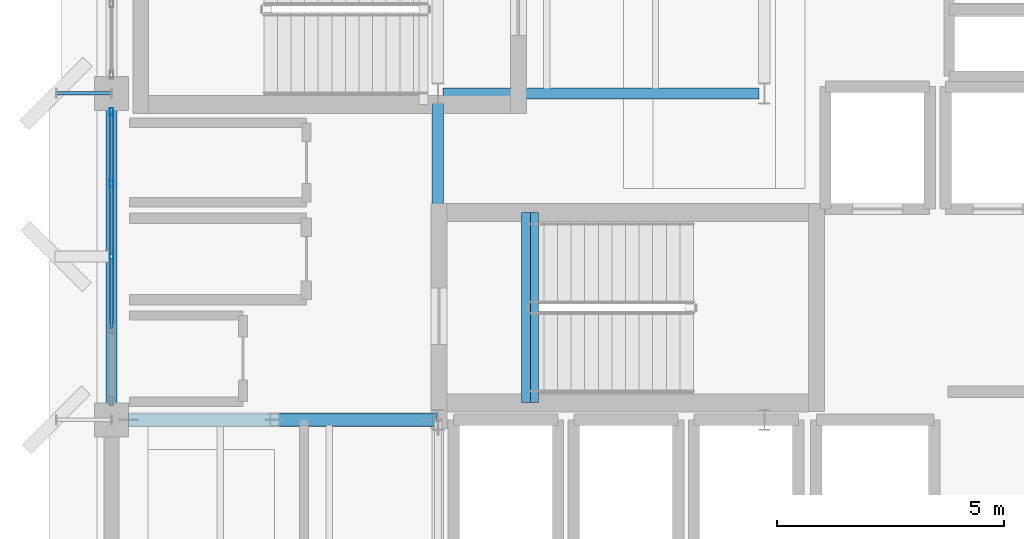
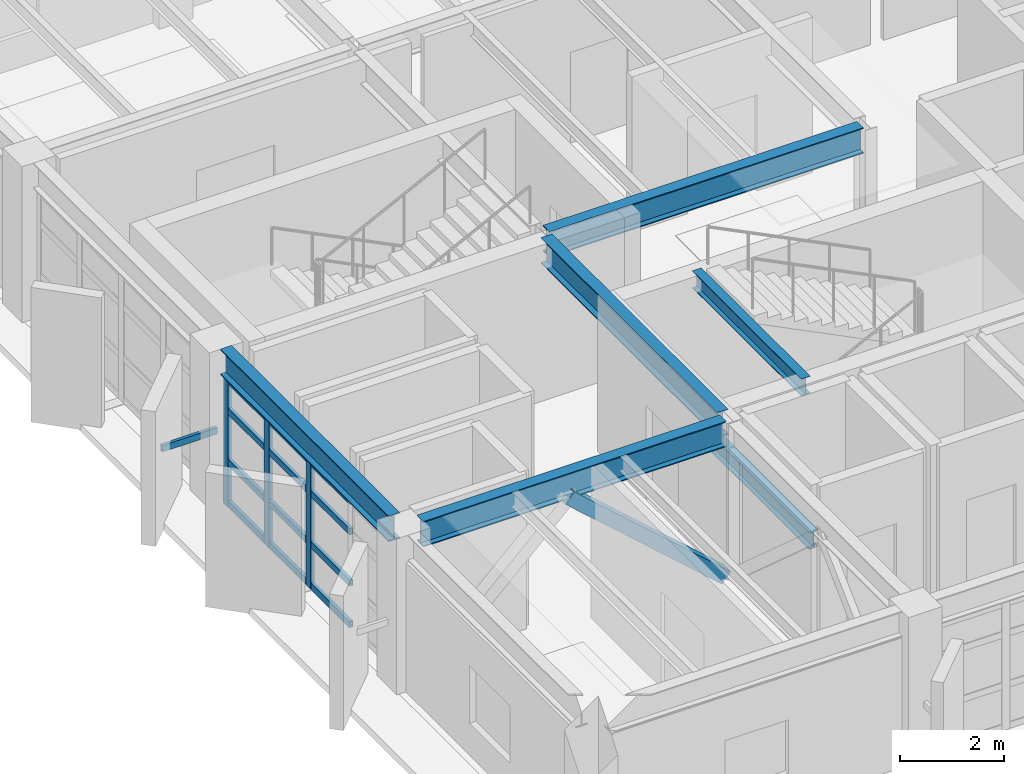
# One storey, part 5 of 32: 17 members, 6 beams, 1 element without a shape of its own.
"""IFC4 building model written with IfcOpenShell, lengths in metres."""

import ifcopenshell
import ifcopenshell.guid

model = None  # the IFC model being written
_history = None  # IfcOwnerHistory: only IFC2X3 demands one
_inside = {}  # id of a spatial element -> (the spatial element, [elements in it])
_under = {}  # id of a project, library or spatial element -> (it, [spatial elements below it])
_declared = {}  # id of a project -> (the project, [libraries it declares])
_typed = {}  # id of a type object -> (the type object, [elements of that type])
_made_of = {}  # id of a material, layer set ... -> (it, [elements and type objects made of it])


def new_model(schema):
    """Start an empty IFC model of exactly this schema.

    Asked for "IFC4X3", IfcOpenShell would pick the latest addendum, in which some entities
    have other attributes; the version numbers below select the first issue.
    IFC2X3 requires an IfcOwnerHistory on every rooted entity: one is made here for all.
    """
    global model, _history
    if schema == "IFC4X3":
        model = ifcopenshell.file(schema_version=(4, 3, 0, 0))
    else:
        model = ifcopenshell.file(schema=schema)
    _inside.clear()
    _under.clear()
    _declared.clear()
    _typed.clear()
    _made_of.clear()
    _history = None
    if model.schema == "IFC2X3":
        org = make("IfcOrganization", Name="unknown")
        user = make(
            "IfcPersonAndOrganization",
            ThePerson=make("IfcPerson", FamilyName="unknown"),
            TheOrganization=org,
        )
        app = make(
            "IfcApplication",
            ApplicationDeveloper=org,
            Version="unknown",
            ApplicationFullName="unknown",
            ApplicationIdentifier="unknown",
        )
        _history = make(
            "IfcOwnerHistory",
            OwningUser=user,
            OwningApplication=app,
            ChangeAction="ADDED",
            CreationDate=0,
        )
    return model


def make(cls, **values):
    """One entity of the class cls with the attributes given. An attribute that is None is left unset."""
    return model.create_entity(
        cls, **{name: value for name, value in values.items() if value is not None}
    )


def rooted(cls, **values):
    """An entity with a GlobalId (a new one), such as an element, a storey or a relation."""
    return make(cls, GlobalId=ifcopenshell.guid.new(), OwnerHistory=_history, **values)


def si_unit(unit_type, name, prefix=None):
    """IfcSIUnit, for example si_unit("LENGTHUNIT", "METRE", prefix="MILLI")."""
    return make("IfcSIUnit", UnitType=unit_type, Prefix=prefix, Name=name)


def assignment(units):
    """IfcUnitAssignment: the units of a project."""
    return None if units is None else make("IfcUnitAssignment", Units=units)


def point(xyz):
    """IfcCartesianPoint."""
    return None if xyz is None else make("IfcCartesianPoint", Coordinates=xyz)


def direction(xyz):
    """IfcDirection."""
    return None if xyz is None else make("IfcDirection", DirectionRatios=xyz)


def frame(location, z_axis=None, x_axis=None):
    """IfcAxis2Placement3D, a coordinate frame: its origin and axes. An axis left out is left unset."""
    return make(
        "IfcAxis2Placement3D",
        Location=point(location),
        Axis=direction(z_axis),
        RefDirection=direction(x_axis),
    )


def frame_2d(location, x_axis=None):
    """IfcAxis2Placement2D, a coordinate frame in the plane: its origin and x axis."""
    return make(
        "IfcAxis2Placement2D", Location=point(location), RefDirection=direction(x_axis)
    )


def origin():
    """The frame at (0, 0, 0) with its axes left unset."""
    return frame((0.0, 0.0, 0.0))


def origin_2d():
    """The frame at (0, 0) in the plane with its x axis left unset."""
    return frame_2d((0.0, 0.0))


def place(relative_to, where):
    """IfcLocalPlacement: puts the frame where relative to a parent placement (None: the world)."""
    return make(
        "IfcLocalPlacement", PlacementRelTo=relative_to, RelativePlacement=where
    )


def context(
    kind, dimensions, precision=None, world=None, true_north=None, identifier=None
):
    """IfcGeometricRepresentationContext, for example the 3D "Model" context."""
    return make(
        "IfcGeometricRepresentationContext",
        ContextIdentifier=identifier,
        ContextType=kind,
        CoordinateSpaceDimension=dimensions,
        Precision=precision,
        WorldCoordinateSystem=world,
        TrueNorth=true_north,
    )


def subcontext(parent, identifier, kind, view, scale=None):
    """IfcGeometricRepresentationSubContext, for example "Body" below "Model"."""
    return make(
        "IfcGeometricRepresentationSubContext",
        ContextIdentifier=identifier,
        ContextType=kind,
        ParentContext=parent,
        TargetScale=scale,
        TargetView=view,
    )


def project(units=None, contexts=None):
    """IfcProject with its units and contexts."""
    return rooted(
        "IfcProject",
        Name="project",
        RepresentationContexts=contexts,
        UnitsInContext=assignment(units),
    )


def spatial(cls, under=None, at=None, **own):
    """A site, building, storey or space (cls), placed at a placement, below another one or the project."""
    s = rooted(cls, ObjectPlacement=at, **own)
    if under is not None:
        _under.setdefault(under.id(), (under, []))[1].append(s)
    return s


def profile(cls, at=None, kind="AREA", **sizes):
    """A parametric profile (cls). Its sizes go by their IFC names, for example OverallWidth=200.0."""
    return make(cls, ProfileType=kind, Position=at, **sizes)


def hollow_rectangle(**sizes):
    """IfcRectangleHollowProfileDef."""
    return profile("IfcRectangleHollowProfileDef", **sizes)


def i_section(**sizes):
    """IfcIShapeProfileDef."""
    return profile("IfcIShapeProfileDef", **sizes)


def extrude(swept, where, along, depth):
    """IfcExtrudedAreaSolid: the profile swept, set in the frame where, extruded along a direction by depth."""
    return make(
        "IfcExtrudedAreaSolid",
        SweptArea=swept,
        Position=where,
        ExtrudedDirection=direction(along),
        Depth=depth,
    )


def shape(context_of_items, identifier, shape_type, items):
    """IfcShapeRepresentation: the items that make up one representation, for example the "Body"."""
    return make(
        "IfcShapeRepresentation",
        ContextOfItems=context_of_items,
        RepresentationIdentifier=identifier,
        RepresentationType=shape_type,
        Items=items,
    )


def material(Name=None, Category=None):
    """IfcMaterial."""
    return make("IfcMaterial", Name=Name, Category=Category)


def layer(
    of_material, thickness, ventilated=None, Name=None, Category=None, Priority=None
):
    """IfcMaterialLayer: one layer of a wall or slab, of a material (None: an air gap)."""
    return make(
        "IfcMaterialLayer",
        Material=of_material,
        LayerThickness=thickness,
        IsVentilated=ventilated,
        Name=Name,
        Category=Category,
        Priority=Priority,
    )


def layer_set(layers, Name=None):
    """IfcMaterialLayerSet."""
    return make("IfcMaterialLayerSet", MaterialLayers=layers, LayerSetName=Name)


def material_profile(
    of_material, cross_section, Name=None, Category=None, Priority=None
):
    """IfcMaterialProfile: a cross section and its material."""
    return make(
        "IfcMaterialProfile",
        Name=Name,
        Material=of_material,
        Profile=cross_section,
        Priority=Priority,
        Category=Category,
    )


def profile_set(profiles, Name=None, composite=None):
    """IfcMaterialProfileSet."""
    return make(
        "IfcMaterialProfileSet",
        Name=Name,
        MaterialProfiles=profiles,
        CompositeProfile=composite,
    )


def made_of(thing, what):
    """Note that an element or type object is made of a material, layer set ...; save() writes the relation."""
    if what is not None:
        _made_of.setdefault(what.id(), (what, []))[1].append(thing)
    return thing


def type_object(cls, material=None, **own):
    """A type object (cls), such as IfcWallType, which elements share."""
    return made_of(rooted(cls, **own), material)


def element(
    cls,
    number,
    at=None,
    inside=None,
    cuts=None,
    type_object=None,
    material=None,
    context=None,
    identifier="Body",
    shape_type=None,
    held_by="IfcProductDefinitionShape",
    body=None,
    shapes=None,
    **own,
):
    """One element of the class cls, such as IfcWall. Its Tag is "e" and its number.

    at: its placement. inside: the storey or other place that contains it. cuts: it is an
    opening in that element (IfcRelVoidsElement). A single representation is given by context,
    identifier, shape_type and body (its items); several are given by shapes. held_by: the class
    of the entity that holds the representations. save() writes the other relations.
    """
    e = rooted(cls, Tag="e%d" % number, ObjectPlacement=at, **own)
    if body is not None:
        shapes = [shape(context, identifier, shape_type, body)]
    if shapes is not None:
        e.Representation = make(held_by, Representations=shapes)
    if inside is not None:
        _inside.setdefault(inside.id(), (inside, []))[1].append(e)
    if cuts is not None:
        rooted(
            "IfcRelVoidsElement", RelatingBuildingElement=cuts, RelatedOpeningElement=e
        )
    if type_object is not None:
        _typed.setdefault(type_object.id(), (type_object, []))[1].append(e)
    return made_of(e, material)


def aggregate(whole, parts):
    """IfcRelAggregates: a whole, such as a stair, and the parts it consists of."""
    return rooted("IfcRelAggregates", RelatingObject=whole, RelatedObjects=parts)


def save(model, path):
    """Write the relations noted so far, then the file.

    IfcRelAggregates (storeys below a building ...), IfcRelContainedInSpatialStructure (elements
    in a storey), IfcRelDefinesByType, IfcRelAssociatesMaterial and IfcRelDeclares: one each for
    every whole, place, type object, material and project.
    """
    for whole, parts in _under.values():
        aggregate(whole, parts)
    for where, things in _inside.values():
        rooted(
            "IfcRelContainedInSpatialStructure",
            RelatedElements=things,
            RelatingStructure=where,
        )
    for kind, things in _typed.values():
        rooted("IfcRelDefinesByType", RelatedObjects=things, RelatingType=kind)
    for what, things in _made_of.values():
        rooted("IfcRelAssociatesMaterial", RelatedObjects=things, RelatingMaterial=what)
    for by, libraries in _declared.values():
        rooted("IfcRelDeclares", RelatingContext=by, RelatedDefinitions=libraries)
    model.write(path)


model = new_model("IFC4")

# Units and contexts
model_context = context("Model", 3, precision=1e-05, world=origin(), true_north=direction((0.0, 1.0)))
body_context = subcontext(model_context, "Body", "Model", "MODEL_VIEW")
ifc_project = project(units=[si_unit("LENGTHUNIT", "METRE"), si_unit("AREAUNIT", "SQUARE_METRE"), si_unit("VOLUMEUNIT", "CUBIC_METRE"), si_unit("PLANEANGLEUNIT", "RADIAN"), si_unit("MASSUNIT", "GRAM", prefix="KILO")], contexts=[model_context])

# Site, building, storey
site_placement = place(None, origin())
site = spatial("IfcSite", under=ifc_project, at=site_placement, CompositionType="ELEMENT")
building_placement = place(site_placement, origin())
building = spatial("IfcBuilding", under=site, at=building_placement, Name="Kandorven Conservatory and Botanical Research Centre", CompositionType="ELEMENT")
storey_placement = place(building_placement, frame((0.0, 0.0, 17.10009765625)))
storey = spatial("IfcBuildingStorey", under=building, at=storey_placement, Name="L04", CompositionType="ELEMENT", Elevation=17.10009765625)

# Beams
ifc_material_1 = material(Name="Steel S355 (IS 2062 E350)", Category="steel")
ifc_material_profile_1 = material_profile(ifc_material_1, i_section(OverallWidth=0.25, OverallDepth=0.60009765625, WebThickness=0.01171875, FlangeThickness=0.023681640625, at=origin_2d()))
ifc_profile_set_1 = profile_set([ifc_material_profile_1], Name="Steel S355 (IS 2062 E350)")
beam_type_1 = type_object("IfcBeamType", Name="Beam_FG-01", PredefinedType="USERDEFINED", material=ifc_profile_set_1)
beam_1_placement = place(storey_placement, frame((6.364990234375, 13.199951171875, 3.35986328125), z_axis=(1.0, 0.0, 0.0), x_axis=(0.0, 1.0, 0.0)))
element("IfcBeam", 1, at=beam_1_placement, inside=storey, type_object=beam_type_1, Name="Primary girder FG-01 TWR L04", ObjectType="GIRDER", PredefinedType="USERDEFINED", context=body_context, shape_type="SweptSolid", body=[
    extrude(i_section(OverallWidth=0.25, OverallDepth=0.60009765625, WebThickness=0.01171875, FlangeThickness=0.023681640625, at=origin_2d()), origin(), (0.0, 0.0, 1.0), 6.719970703125),
])
beam_2_placement = place(storey_placement, frame((13.31494140625, 20.39990234375, 3.35986328125), z_axis=(1.0, 0.0, 0.0), x_axis=(0.0, 1.0, 0.0)))
element("IfcBeam", 2, at=beam_2_placement, inside=storey, type_object=beam_type_1, Name="Primary girder FG-01 TWR L04", ObjectType="GIRDER", PredefinedType="USERDEFINED", context=body_context, shape_type="SweptSolid", body=[
    extrude(i_section(OverallWidth=0.25, OverallDepth=0.60009765625, WebThickness=0.01171875, FlangeThickness=0.023681640625, at=origin_2d()), origin(), (0.0, 0.0, 1.0), 6.969970703125),
])
beam_3_placement = place(storey_placement, frame((6.0, 13.56494140625, 3.35986328125), z_axis=(0.0, 1.0, 0.0), x_axis=(-1.0, 0.0, 0.0)))
element("IfcBeam", 3, at=beam_3_placement, inside=storey, type_object=beam_type_1, Name="Primary girder FG-01 TWR L04", ObjectType="GIRDER", PredefinedType="USERDEFINED", context=body_context, shape_type="SweptSolid", body=[
    extrude(i_section(OverallWidth=0.25, OverallDepth=0.60009765625, WebThickness=0.01171875, FlangeThickness=0.023681640625, at=origin_2d()), origin(), (0.0, 0.0, 1.0), 6.469970703125),
])
beam_4_placement = place(storey_placement, frame((13.199951171875, 13.4150390625, 3.35986328125), z_axis=(0.0, 1.0, 0.0), x_axis=(-1.0, 0.0, 0.0)))
element("IfcBeam", 4, at=beam_4_placement, inside=storey, type_object=beam_type_1, Name="Primary girder FG-01 TWR L04", ObjectType="GIRDER", PredefinedType="USERDEFINED", context=body_context, shape_type="SweptSolid", body=[
    extrude(i_section(OverallWidth=0.25, OverallDepth=0.60009765625, WebThickness=0.01171875, FlangeThickness=0.023681640625, at=origin_2d()), origin(), (0.0, 0.0, 1.0), 6.77001953125),
])
ifc_material_2 = material(Name="Steel S355 (IS 2062 E350)", Category="steel")
ifc_material_profile_2 = material_profile(ifc_material_2, i_section(OverallWidth=0.199951171875, OverallDepth=0.39990234375, WebThickness=0.008544921875, FlangeThickness=0.012939453125, at=origin_2d()))
ifc_profile_set_2 = profile_set([ifc_material_profile_2], Name="Steel S355 (IS 2062 E350)")
beam_type_2 = type_object("IfcBeamType", Name="Beam_FG-03", PredefinedType="USERDEFINED", material=ifc_profile_set_2)
for number, where, z_axis, x_axis, name in (
    (5, (15.320068359375, 13.580078125, -0.2001953125), (0.0, 1.0, 0.0), (-1.0, 0.0, 0.0), "Stair well bottom trimmer girder FG-03 ST-T1 L04"),
    (6, (15.139892578125, 13.580078125, 3.4599609375), (0.0, 1.0, 0.0), (-1.0, 0.0, 0.0), "Stair well top header girder FG-03 ST-T1 L04"),
):
    element("IfcBeam", number, at=place(storey_placement, frame(where, z_axis=z_axis, x_axis=x_axis)), inside=storey, type_object=beam_type_2, Name=name, ObjectType="GIRDER", PredefinedType="USERDEFINED", context=body_context, shape_type="SweptSolid", body=[
        extrude(i_section(OverallWidth=0.199951171875, OverallDepth=0.39990234375, WebThickness=0.008544921875, FlangeThickness=0.012939453125, at=origin_2d()), origin(), (0.0, 0.0, 1.0), 4.18994140625),
    ])

# Curtain wall, members
ifc_material_3 = material(Name="Bronze anodised thermally broken aluminium", Category="aluminium")
ifc_layer = layer(ifc_material_3, 0.179931640625)
ifc_layer_set = layer_set([ifc_layer], Name="Bronze anodised thermally broken aluminium")
curtain_wall_type = type_object("IfcCurtainWallType", Name="CW_Unitised", PredefinedType="USERDEFINED", material=ifc_layer_set)
curtain_wall_placement = place(storey_placement, origin())
curtain_wall = element("IfcCurtainWall", 7, at=curtain_wall_placement, inside=storey, type_object=curtain_wall_type, Name="Tower laboratory curtain wall CW-TWR-W-L04-2", ObjectType="UNITISED GLAZING", PredefinedType="USERDEFINED")
ifc_material_4 = material(Name="Bronze anodised thermally broken aluminium", Category="aluminium")
ifc_material_profile_3 = material_profile(ifc_material_4, hollow_rectangle(XDim=0.080078125, YDim=0.179931640625, WallThickness=0.006103515625, at=origin_2d()))
ifc_profile_set_3 = profile_set([ifc_material_profile_3], Name="Bronze anodised thermally broken aluminium")
member_type_1 = type_object("IfcMemberType", Name="CW_Mullion", PredefinedType="MULLION", material=ifc_profile_set_3)
member_1_placement = place(storey_placement, frame((6.0, 16.800048828125, 0.0), z_axis=(0.0, 0.0, 1.0), x_axis=(-1.0, 0.0, 0.0)))
member_1 = element("IfcMember", 8, at=member_1_placement, type_object=member_type_1, Name="CW-01 mullion 3", PredefinedType="MULLION", context=body_context, shape_type="SweptSolid", body=[
    extrude(hollow_rectangle(XDim=0.080078125, YDim=0.179931640625, WallThickness=0.006103515625, at=origin_2d()), origin(), (0.0, 0.0, 1.0), 3.039794921875),
])
member_2_placement = place(storey_placement, frame((6.0, 18.41259765625, 0.0), z_axis=(0.0, 0.0, 1.0), x_axis=(-1.0, 0.0, 0.0)))
member_2 = element("IfcMember", 9, at=member_2_placement, type_object=member_type_1, Name="CW-01 mullion 4", PredefinedType="MULLION", context=body_context, shape_type="SweptSolid", body=[
    extrude(hollow_rectangle(XDim=0.080078125, YDim=0.179931640625, WallThickness=0.006103515625, at=origin_2d()), origin(), (0.0, 0.0, 1.0), 3.039794921875),
])
member_3_placement = place(storey_placement, frame((6.0, 19.985107421875, 0.0), z_axis=(0.0, 0.0, 1.0), x_axis=(-1.0, 0.0, 0.0)))
member_3 = element("IfcMember", 10, at=member_3_placement, type_object=member_type_1, Name="CW-01 mullion 5", PredefinedType="MULLION", context=body_context, shape_type="SweptSolid", body=[
    extrude(hollow_rectangle(XDim=0.080078125, YDim=0.179931640625, WallThickness=0.006103515625, at=origin_2d()), origin(), (0.0, 0.0, 1.0), 3.039794921875),
])
ifc_material_5 = material(Name="Bronze anodised thermally broken aluminium", Category="aluminium")
ifc_material_profile_4 = material_profile(ifc_material_5, hollow_rectangle(XDim=0.074951171875, YDim=0.14990234375, WallThickness=0.006103515625, at=origin_2d()))
ifc_profile_set_4 = profile_set([ifc_material_profile_4], Name="Bronze anodised thermally broken aluminium")
member_type_2 = type_object("IfcMemberType", Name="CW_Transom", PredefinedType="USERDEFINED", material=ifc_profile_set_4)
member_4_placement = place(storey_placement, frame((6.0, 15.2275390625, 0.074951171875), z_axis=(0.0, 1.0, 0.0), x_axis=(-1.0, 0.0, 0.0)))
member_4 = element("IfcMember", 11, at=member_4_placement, type_object=member_type_2, Name="CW-01 transom 2.1", ObjectType="TRANSOM", PredefinedType="USERDEFINED", context=body_context, shape_type="SweptSolid", body=[
    extrude(hollow_rectangle(XDim=0.074951171875, YDim=0.14990234375, WallThickness=0.006103515625, at=origin_2d()), origin(), (0.0, 0.0, 1.0), 1.532470703125),
])
member_5_placement = place(storey_placement, frame((6.0, 15.2275390625, 1.0498046875), z_axis=(0.0, 1.0, 0.0), x_axis=(-1.0, 0.0, 0.0)))
member_5 = element("IfcMember", 12, at=member_5_placement, type_object=member_type_2, Name="CW-01 transom 2.2", ObjectType="TRANSOM", PredefinedType="USERDEFINED", context=body_context, shape_type="SweptSolid", body=[
    extrude(hollow_rectangle(XDim=0.074951171875, YDim=0.14990234375, WallThickness=0.006103515625, at=origin_2d()), origin(), (0.0, 0.0, 1.0), 1.532470703125),
])
member_6_placement = place(storey_placement, frame((6.0, 15.2275390625, 2.25), z_axis=(0.0, 1.0, 0.0), x_axis=(-1.0, 0.0, 0.0)))
member_6 = element("IfcMember", 13, at=member_6_placement, type_object=member_type_2, Name="CW-01 transom 2.3", ObjectType="TRANSOM", PredefinedType="USERDEFINED", context=body_context, shape_type="SweptSolid", body=[
    extrude(hollow_rectangle(XDim=0.074951171875, YDim=0.14990234375, WallThickness=0.006103515625, at=origin_2d()), origin(), (0.0, 0.0, 1.0), 1.532470703125),
])
member_7_placement = place(storey_placement, frame((6.0, 15.2275390625, 2.96484375), z_axis=(0.0, 1.0, 0.0), x_axis=(-1.0, 0.0, 0.0)))
member_7 = element("IfcMember", 14, at=member_7_placement, type_object=member_type_2, Name="CW-01 transom 2.4", ObjectType="TRANSOM", PredefinedType="USERDEFINED", context=body_context, shape_type="SweptSolid", body=[
    extrude(hollow_rectangle(XDim=0.074951171875, YDim=0.14990234375, WallThickness=0.006103515625, at=origin_2d()), origin(), (0.0, 0.0, 1.0), 1.532470703125),
])
member_8_placement = place(storey_placement, frame((6.0, 16.840087890625, 0.074951171875), z_axis=(0.0, 1.0, 0.0), x_axis=(-1.0, 0.0, 0.0)))
member_8 = element("IfcMember", 15, at=member_8_placement, type_object=member_type_2, Name="CW-01 transom 3.1", ObjectType="TRANSOM", PredefinedType="USERDEFINED", context=body_context, shape_type="SweptSolid", body=[
    extrude(hollow_rectangle(XDim=0.074951171875, YDim=0.14990234375, WallThickness=0.006103515625, at=origin_2d()), origin(), (0.0, 0.0, 1.0), 1.532470703125),
])
member_9_placement = place(storey_placement, frame((6.0, 16.840087890625, 1.0498046875), z_axis=(0.0, 1.0, 0.0), x_axis=(-1.0, 0.0, 0.0)))
member_9 = element("IfcMember", 16, at=member_9_placement, type_object=member_type_2, Name="CW-01 transom 3.2", ObjectType="TRANSOM", PredefinedType="USERDEFINED", context=body_context, shape_type="SweptSolid", body=[
    extrude(hollow_rectangle(XDim=0.074951171875, YDim=0.14990234375, WallThickness=0.006103515625, at=origin_2d()), origin(), (0.0, 0.0, 1.0), 1.532470703125),
])
member_10_placement = place(storey_placement, frame((6.0, 16.840087890625, 2.25), z_axis=(0.0, 1.0, 0.0), x_axis=(-1.0, 0.0, 0.0)))
member_10 = element("IfcMember", 17, at=member_10_placement, type_object=member_type_2, Name="CW-01 transom 3.3", ObjectType="TRANSOM", PredefinedType="USERDEFINED", context=body_context, shape_type="SweptSolid", body=[
    extrude(hollow_rectangle(XDim=0.074951171875, YDim=0.14990234375, WallThickness=0.006103515625, at=origin_2d()), origin(), (0.0, 0.0, 1.0), 1.532470703125),
])
member_11_placement = place(storey_placement, frame((6.0, 16.840087890625, 2.96484375), z_axis=(0.0, 1.0, 0.0), x_axis=(-1.0, 0.0, 0.0)))
member_11 = element("IfcMember", 18, at=member_11_placement, type_object=member_type_2, Name="CW-01 transom 3.4", ObjectType="TRANSOM", PredefinedType="USERDEFINED", context=body_context, shape_type="SweptSolid", body=[
    extrude(hollow_rectangle(XDim=0.074951171875, YDim=0.14990234375, WallThickness=0.006103515625, at=origin_2d()), origin(), (0.0, 0.0, 1.0), 1.532470703125),
])
member_12_placement = place(storey_placement, frame((6.0, 18.452392578125, 0.074951171875), z_axis=(0.0, 1.0, 0.0), x_axis=(-1.0, 0.0, 0.0)))
member_12 = element("IfcMember", 19, at=member_12_placement, type_object=member_type_2, Name="CW-01 transom 4.1", ObjectType="TRANSOM", PredefinedType="USERDEFINED", context=body_context, shape_type="SweptSolid", body=[
    extrude(hollow_rectangle(XDim=0.074951171875, YDim=0.14990234375, WallThickness=0.006103515625, at=origin_2d()), origin(), (0.0, 0.0, 1.0), 1.49267578125),
])
member_13_placement = place(storey_placement, frame((6.0, 18.452392578125, 1.0498046875), z_axis=(0.0, 1.0, 0.0), x_axis=(-1.0, 0.0, 0.0)))
member_13 = element("IfcMember", 20, at=member_13_placement, type_object=member_type_2, Name="CW-01 transom 4.2", ObjectType="TRANSOM", PredefinedType="USERDEFINED", context=body_context, shape_type="SweptSolid", body=[
    extrude(hollow_rectangle(XDim=0.074951171875, YDim=0.14990234375, WallThickness=0.006103515625, at=origin_2d()), origin(), (0.0, 0.0, 1.0), 1.49267578125),
])
member_14_placement = place(storey_placement, frame((6.0, 18.452392578125, 2.25), z_axis=(0.0, 1.0, 0.0), x_axis=(-1.0, 0.0, 0.0)))
member_14 = element("IfcMember", 21, at=member_14_placement, type_object=member_type_2, Name="CW-01 transom 4.3", ObjectType="TRANSOM", PredefinedType="USERDEFINED", context=body_context, shape_type="SweptSolid", body=[
    extrude(hollow_rectangle(XDim=0.074951171875, YDim=0.14990234375, WallThickness=0.006103515625, at=origin_2d()), origin(), (0.0, 0.0, 1.0), 1.49267578125),
])
member_15_placement = place(storey_placement, frame((6.0, 18.452392578125, 2.96484375), z_axis=(0.0, 1.0, 0.0), x_axis=(-1.0, 0.0, 0.0)))
member_15 = element("IfcMember", 22, at=member_15_placement, type_object=member_type_2, Name="CW-01 transom 4.4", ObjectType="TRANSOM", PredefinedType="USERDEFINED", context=body_context, shape_type="SweptSolid", body=[
    extrude(hollow_rectangle(XDim=0.074951171875, YDim=0.14990234375, WallThickness=0.006103515625, at=origin_2d()), origin(), (0.0, 0.0, 1.0), 1.49267578125),
])
aggregate(curtain_wall, [member_1, member_2, member_3, member_4, member_5, member_6, member_7, member_8, member_9, member_10, member_11, member_12, member_13, member_14, member_15])

# Members
ifc_material_6 = material(Name="Steel S355 (IS 2062 E350)", Category="steel")
ifc_material_profile_5 = material_profile(ifc_material_6, hollow_rectangle(XDim=0.300048828125, YDim=0.300048828125, WallThickness=0.01611328125, at=origin_2d()))
ifc_profile_set_5 = profile_set([ifc_material_profile_5], Name="Steel S355 (IS 2062 E350)")
member_type_3 = type_object("IfcMemberType", Name="Mem_BR-01", PredefinedType="BRACE", material=ifc_profile_set_5)
member_16_placement = place(storey_placement, frame((13.074951171875, 13.199951171875, 0.0), z_axis=(-0.747293435799, 0.0, 0.664494184182), x_axis=(0.0, -1.0, 0.0)))
element("IfcMember", 23, at=member_16_placement, inside=storey, type_object=member_type_3, Name="Tower lateral chevron brace BR-01 L04 E", PredefinedType="BRACE", context=body_context, shape_type="SweptSolid", body=[
    extrude(hollow_rectangle(XDim=0.300048828125, YDim=0.300048828125, WallThickness=0.01611328125, at=origin_2d()), origin(), (0.0, 0.0, 1.0), 4.64990234375),
])
ifc_material_7 = material(Name="Steel S355 (IS 2062 E350)", Category="steel")
ifc_material_profile_6 = material_profile(ifc_material_7, hollow_rectangle(XDim=0.074951171875, YDim=0.14990234375, WallThickness=0.006103515625, at=origin_2d()))
ifc_profile_set_6 = profile_set([ifc_material_profile_6], Name="Steel S355 (IS 2062 E350)")
member_type_4 = type_object("IfcMemberType", Name="Mem_SF-01", PredefinedType="STRUT", material=ifc_profile_set_6)
member_17_placement = place(storey_placement, frame((6.0, 20.39990234375, 1.5), z_axis=(-1.0, 0.0, 0.0), x_axis=(0.0, -1.0, 0.0)))
element("IfcMember", 24, at=member_17_placement, inside=storey, type_object=member_type_4, Name="Solar fin steel outrigger strut SF-01 #39", PredefinedType="STRUT", context=body_context, shape_type="SweptSolid", body=[
    extrude(hollow_rectangle(XDim=0.074951171875, YDim=0.14990234375, WallThickness=0.006103515625, at=origin_2d()), origin(), (0.0, 0.0, 1.0), 1.219970703125),
])

save(model, "model.ifc")
